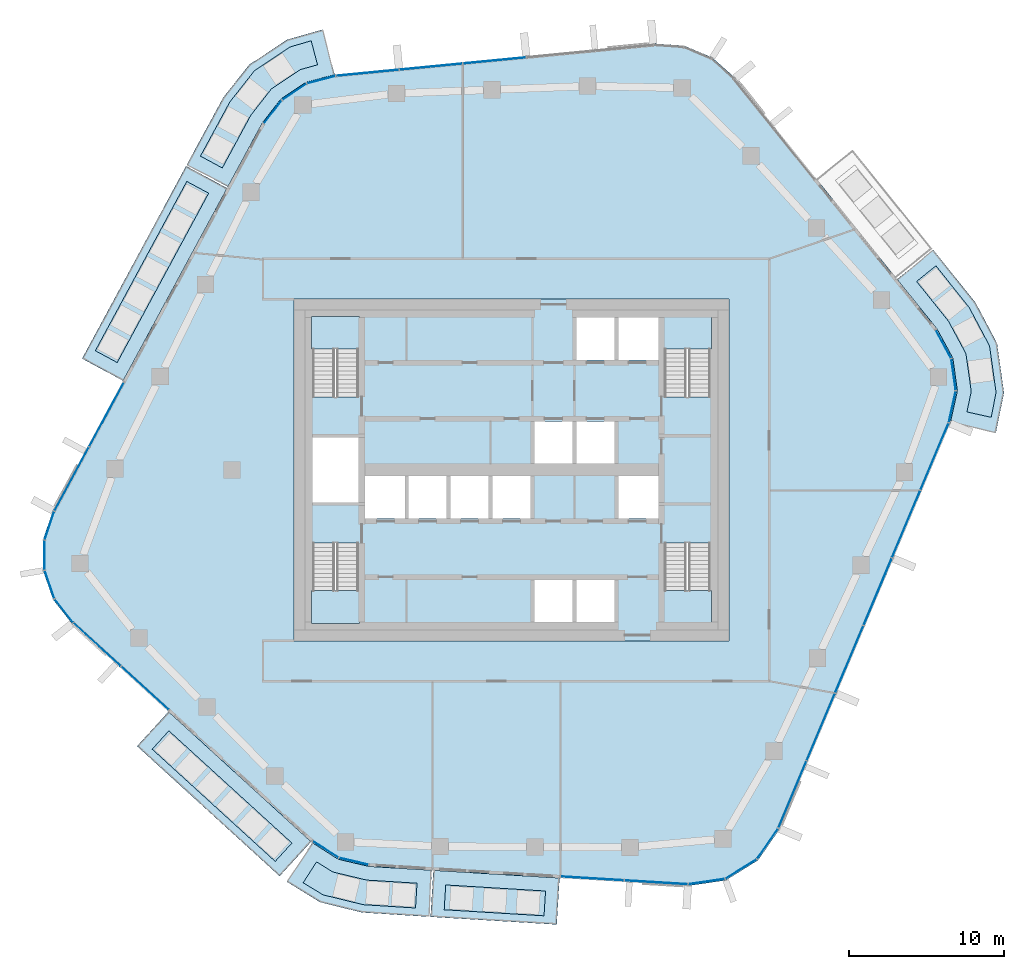
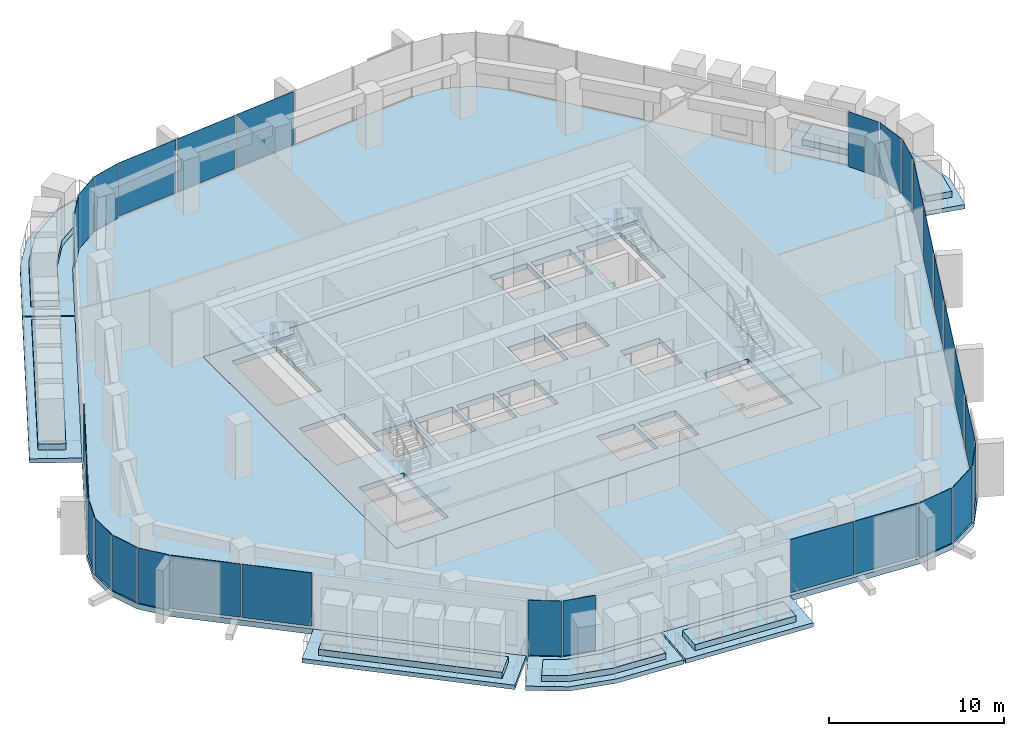
# One storey, part 10 of 20: 30 plates, 18 slabs, 14 elements without a shape of their own.
"""IFC4 building model written with IfcOpenShell, lengths in metres."""

from ifc_helpers import new_model, si_unit, direction, frame, origin, origin_2d, place, context, subcontext, project, spatial, polyline, rectangle, outline, extrude, material, layer, layer_set, type_object, element, aggregate, save


model = new_model("IFC4")

# Units and contexts
model_context = context("Model", 3, precision=1e-05, world=origin(), true_north=direction((0.0, 1.0)))
body_context = subcontext(model_context, "Body", "Model", "MODEL_VIEW")
ifc_project = project(units=[si_unit("LENGTHUNIT", "METRE"), si_unit("AREAUNIT", "SQUARE_METRE"), si_unit("VOLUMEUNIT", "CUBIC_METRE"), si_unit("PLANEANGLEUNIT", "RADIAN"), si_unit("MASSUNIT", "GRAM", prefix="KILO")], contexts=[model_context])

# Site, building, storey
site_placement = place(None, origin())
site = spatial("IfcSite", under=ifc_project, at=site_placement, CompositionType="ELEMENT")
building_placement = place(site_placement, origin())
building = spatial("IfcBuilding", under=site, at=building_placement, Name="Dongbaek Canopy Tower", CompositionType="ELEMENT")
storey_placement = place(building_placement, frame((0.0, 0.0, 258.0)))
storey = spatial("IfcBuildingStorey", under=building, at=storey_placement, Name="L54", CompositionType="ELEMENT", Elevation=258.0)

# Slabs
ifc_material_1 = material(Name="Concrete C40/50", Category="concrete")
ifc_layer_1 = layer(ifc_material_1, 0.300048828125)
ifc_layer_set_1 = layer_set([ifc_layer_1], Name="Balcony slab 300")
slab_type_1 = type_object("IfcSlabType", Name="Balcony slab 300", PredefinedType="FLOOR", material=ifc_layer_set_1)
slab_1_placement = place(storey_placement, frame((0.0, 0.0, -0.300048828125)))
element("IfcSlab", 1, at=slab_1_placement, inside=storey, type_object=slab_type_1, Name="Balcony L54 5", PredefinedType="FLOOR", context=body_context, shape_type="SweptSolid", body=[
    extrude(outline(polyline([(28.25634765625, 3.048583984375), (28.7099609375, 5.08837890625), (28.412109375, 7.20751953125), (27.389404296875, 9.087158203125), (24.8212890625, 12.279052734375), (27.15869140625, 14.15966796875), (29.8857421875, 10.7509765625), (31.2607421875, 8.148193359375), (31.707763671875, 4.9697265625), (31.184814453125, 2.397216796875), (28.25634765625, 3.048583984375)])), origin(), (0.0, 0.0, 1.0), 0.300048828125),
])
slab_2_placement = place(storey_placement, frame((0.0, 0.0, -0.300048828125)))
element("IfcSlab", 2, at=slab_2_placement, inside=storey, type_object=slab_type_1, Name="Balcony L54 2", PredefinedType="FLOOR", context=body_context, shape_type="SweptSolid", body=[
    extrude(outline(polyline([(-18.3154296875, 18.139892578125), (-25.010986328125, 5.742431640625), (-27.650634765625, 7.16796875), (-20.955078125, 19.5654296875), (-18.3154296875, 18.139892578125)])), origin(), (0.0, 0.0, 1.0), 0.300048828125),
])
slab_3_placement = place(storey_placement, frame((0.0, 0.0, -0.300048828125)))
element("IfcSlab", 3, at=slab_3_placement, inside=storey, type_object=slab_type_1, Name="Balcony L54 6", PredefinedType="FLOOR", context=body_context, shape_type="SweptSolid", body=[
    extrude(outline(polyline([(-11.39208984375, 25.45361328125), (-13.2275390625, 24.9658203125), (-14.851318359375, 23.887451171875), (-16.0439453125, 22.345703125), (-18.267822265625, 18.227783203125), (-20.907470703125, 19.653564453125), (-18.55859375, 23.981689453125), (-16.894775390625, 26.083984375), (-14.458740234375, 27.701416015625), (-12.16259765625, 28.35302734375), (-11.39208984375, 25.45361328125)])), origin(), (0.0, 0.0, 1.0), 0.300048828125),
])
slab_4_placement = place(storey_placement, frame((0.0, 0.0, -0.300048828125)))
element("IfcSlab", 4, at=slab_4_placement, inside=storey, type_object=slab_type_1, Name="Balcony L54 3", PredefinedType="FLOOR", context=body_context, shape_type="SweptSolid", body=[
    extrude(outline(polyline([(-22.089111328125, -15.569091796875), (-12.9111328125, -23.940185546875), (-14.9326171875, -26.15673828125), (-24.11083984375, -17.78564453125), (-22.089111328125, -15.569091796875)])), origin(), (0.0, 0.0, 1.0), 0.300048828125),
])
slab_5_placement = place(storey_placement, frame((0.0, 0.0, -0.300048828125)))
element("IfcSlab", 5, at=slab_5_placement, inside=storey, type_object=slab_type_1, Name="Balcony L54 4", PredefinedType="FLOOR", context=body_context, shape_type="SweptSolid", body=[
    extrude(outline(polyline([(-5.033203125, -25.782958984375), (3.091064453125, -26.277587890625), (2.908935546875, -29.27197265625), (-5.215576171875, -28.777587890625), (-5.033203125, -25.782958984375)])), origin(), (0.0, 0.0, 1.0), 0.300048828125),
])
slab_6_placement = place(storey_placement, frame((0.0, 0.0, -0.300048828125)))
element("IfcSlab", 6, at=slab_6_placement, inside=storey, type_object=slab_type_1, Name="Balcony L54 7", PredefinedType="FLOOR", context=body_context, shape_type="SweptSolid", body=[
    extrude(outline(polyline([(-12.83203125, -24.0009765625), (-11.16796875, -25.06689453125), (-9.1953125, -25.52978515625), (-5.133056640625, -25.777099609375), (-5.3154296875, -28.771484375), (-9.630615234375, -28.498046875), (-12.336669921875, -27.830078125), (-14.450439453125, -26.52685546875), (-12.83203125, -24.0009765625)])), origin(), (0.0, 0.0, 1.0), 0.300048828125),
])

# Curtain wall, plates
ifc_material_2 = material(Name="Aluminium 6063-T6 pale anodised", Category="aluminium")
ifc_layer_2 = layer(ifc_material_2, 0.199951171875)
ifc_layer_set_2 = layer_set([ifc_layer_2], Name="CW-1 unitised tower curtain wall")
curtain_wall_type = type_object("IfcCurtainWallType", Name="CW-1 unitised tower curtain wall", PredefinedType="NOTDEFINED", material=ifc_layer_set_2)
curtain_wall_1_placement = place(storey_placement, origin())
curtain_wall_1 = element("IfcCurtainWall", 7, at=curtain_wall_1_placement, inside=storey, type_object=curtain_wall_type, Name="CW-1 curtain wall K0.1", PredefinedType="NOTDEFINED")
ifc_material_3 = material(Name="Clear laminated glass", Category="glass")
ifc_layer_3 = layer(ifc_material_3, 0.028076171875)
ifc_layer_set_3 = layer_set([ifc_layer_3], Name="CW-1 glazed panel 28")
plate_type = type_object("IfcPlateType", Name="CW-1 glazed panel 28", PredefinedType="CURTAIN_PANEL", material=ifc_layer_set_3)
plate_1_placement = place(storey_placement, frame((28.379150390625, 4.061279296875, 0.0), z_axis=(0.0, 0.0, 1.0), x_axis=(0.21711143708, 0.976146824965, 0.0)))
plate_1 = element("IfcPlate", 8, at=plate_1_placement, type_object=plate_type, Name="CW-1 panel K0.1.1.1", PredefinedType="CURTAIN_PANEL", context=body_context, shape_type="SweptSolid", body=[
    extrude(rectangle(XDim=2.02880859375, YDim=0.028076171875, at=origin_2d()), origin(), (0.0, 0.0, 1.0), 3.820068359375),
])
plate_2_placement = place(storey_placement, frame((28.462158203125, 6.134033203125, 0.0), z_axis=(0.0, 0.0, 1.0), x_axis=(-0.139243583955, 0.990258160445, 0.0)))
plate_2 = element("IfcPlate", 9, at=plate_2_placement, type_object=plate_type, Name="CW-1 panel K0.1.2.1", PredefinedType="CURTAIN_PANEL", context=body_context, shape_type="SweptSolid", body=[
    extrude(rectangle(XDim=2.01953125, YDim=0.028076171875, at=origin_2d()), origin(), (0.0, 0.0, 1.0), 3.820068359375),
])
plate_3_placement = place(storey_placement, frame((27.810791015625, 8.103515625, 0.0), z_axis=(0.0, 0.0, 1.0), x_axis=(-0.477888487745, 0.878420510508, 0.0)))
plate_3 = element("IfcPlate", 10, at=plate_3_placement, type_object=plate_type, Name="CW-1 panel K0.1.3.1", PredefinedType="CURTAIN_PANEL", context=body_context, shape_type="SweptSolid", body=[
    extrude(rectangle(XDim=2.02880859375, YDim=0.028076171875, at=origin_2d()), origin(), (0.0, 0.0, 1.0), 3.820068359375),
])
aggregate(curtain_wall_1, [plate_1, plate_2, plate_3])

curtain_wall_2_placement = place(storey_placement, origin())
curtain_wall_2 = element("IfcCurtainWall", 11, at=curtain_wall_2_placement, inside=storey, type_object=curtain_wall_type, Name="CW-1 curtain wall F1.1", PredefinedType="NOTDEFINED")
plate_4_placement = place(storey_placement, frame((-1.093017578125, 26.35986328125, 0.1201171875), z_axis=(0.0, 0.0, 1.0), x_axis=(-0.995332430055, -0.096505718384, 0.0)))
plate_4 = element("IfcPlate", 12, at=plate_4_placement, type_object=plate_type, Name="CW-1 panel F1.1.3.1", PredefinedType="CURTAIN_PANEL", context=body_context, shape_type="SweptSolid", body=[
    extrude(rectangle(XDim=4.031494140625, YDim=0.028076171875, at=origin_2d()), origin(), (0.0, 0.0, 1.0), 3.699951171875),
])
plate_5_placement = place(storey_placement, frame((-5.189453125, 25.962646484375, 0.1201171875), z_axis=(0.0, 0.0, 1.0), x_axis=(-0.995332430055, -0.096505718384, 0.0)))
plate_5 = element("IfcPlate", 13, at=plate_5_placement, type_object=plate_type, Name="CW-1 panel F1.1.4.1", PredefinedType="CURTAIN_PANEL", context=body_context, shape_type="SweptSolid", body=[
    extrude(rectangle(XDim=4.031494140625, YDim=0.028076171875, at=origin_2d()), origin(), (0.0, 0.0, 1.0), 3.699951171875),
])
plate_6_placement = place(storey_placement, frame((-9.28173828125, 25.56591796875, 0.1201171875), z_axis=(0.0, 0.0, 1.0), x_axis=(-0.995332430055, -0.096505718384, 0.0)))
plate_6 = element("IfcPlate", 14, at=plate_6_placement, type_object=plate_type, Name="CW-1 panel F1.1.5.1", PredefinedType="CURTAIN_PANEL", context=body_context, shape_type="SweptSolid", body=[
    extrude(rectangle(XDim=4.0234375, YDim=0.028076171875, at=origin_2d()), origin(), (0.0, 0.0, 1.0), 3.699951171875),
])
aggregate(curtain_wall_2, [plate_4, plate_5, plate_6])

curtain_wall_3_placement = place(storey_placement, origin())
curtain_wall_3 = element("IfcCurtainWall", 15, at=curtain_wall_3_placement, inside=storey, type_object=curtain_wall_type, Name="CW-1 curtain wall K2.1", PredefinedType="NOTDEFINED")
plate_7_placement = place(storey_placement, frame((-12.255859375, 25.12060546875, 0.0), z_axis=(0.0, 0.0, 1.0), x_axis=(-0.966437778998, -0.25690079666, 0.0)))
plate_7 = element("IfcPlate", 16, at=plate_7_placement, type_object=plate_type, Name="CW-1 panel K2.1.1.1", PredefinedType="CURTAIN_PANEL", context=body_context, shape_type="SweptSolid", body=[
    extrude(rectangle(XDim=1.840576171875, YDim=0.028076171875, at=origin_2d()), origin(), (0.0, 0.0, 1.0), 3.820068359375),
])
plate_8_placement = place(storey_placement, frame((-13.984130859375, 24.34326171875, 0.0), z_axis=(0.0, 0.0, 1.0), x_axis=(-0.833087736407, -0.553140871251, 0.0)))
plate_8 = element("IfcPlate", 17, at=plate_8_placement, type_object=plate_type, Name="CW-1 panel K2.1.2.1", PredefinedType="CURTAIN_PANEL", context=body_context, shape_type="SweptSolid", body=[
    extrude(rectangle(XDim=1.832275390625, YDim=0.028076171875, at=origin_2d()), origin(), (0.0, 0.0, 1.0), 3.820068359375),
])
plate_9_placement = place(storey_placement, frame((-15.37109375, 23.05224609375, 0.0), z_axis=(0.0, 0.0, 1.0), x_axis=(-0.611813267825, -0.791002228387, 0.0)))
plate_9 = element("IfcPlate", 18, at=plate_9_placement, type_object=plate_type, Name="CW-1 panel K2.1.3.1", PredefinedType="CURTAIN_PANEL", context=body_context, shape_type="SweptSolid", body=[
    extrude(rectangle(XDim=1.840576171875, YDim=0.028076171875, at=origin_2d()), origin(), (0.0, 0.0, 1.0), 3.820068359375),
])
aggregate(curtain_wall_3, [plate_7, plate_8, plate_9])

curtain_wall_4_placement = place(storey_placement, origin())
curtain_wall_4 = element("IfcCurtainWall", 19, at=curtain_wall_4_placement, inside=storey, type_object=curtain_wall_type, Name="CW-1 curtain wall F2.1", PredefinedType="NOTDEFINED")
plate_10_placement = place(storey_placement, frame((-26.070556640625, 3.56982421875, 0.1201171875), z_axis=(0.0, 0.0, 1.0), x_axis=(-0.475201548938, -0.879876973154, 0.0)))
plate_10 = element("IfcPlate", 20, at=plate_10_placement, type_object=plate_type, Name="CW-1 panel F2.1.1.1", PredefinedType="CURTAIN_PANEL", context=body_context, shape_type="SweptSolid", body=[
    extrude(rectangle(XDim=4.64599609375, YDim=0.028076171875, at=origin_2d()), origin(), (0.0, 0.0, 1.0), 3.699951171875),
])
plate_11_placement = place(storey_placement, frame((-28.31640625, -0.58837890625, 0.1201171875), z_axis=(0.0, 0.0, 1.0), x_axis=(-0.475201548938, -0.879876973154, 0.0)))
plate_11 = element("IfcPlate", 21, at=plate_11_placement, type_object=plate_type, Name="CW-1 panel F2.1.2.1", PredefinedType="CURTAIN_PANEL", context=body_context, shape_type="SweptSolid", body=[
    extrude(rectangle(XDim=4.6376953125, YDim=0.028076171875, at=origin_2d()), origin(), (0.0, 0.0, 1.0), 3.699951171875),
])
aggregate(curtain_wall_4, [plate_10, plate_11])

curtain_wall_5_placement = place(storey_placement, origin())
curtain_wall_5 = element("IfcCurtainWall", 22, at=curtain_wall_5_placement, inside=storey, type_object=curtain_wall_type, Name="CW-1 curtain wall K3.1", PredefinedType="NOTDEFINED")
plate_12_placement = place(storey_placement, frame((-29.754638671875, -3.5908203125, 0.0), z_axis=(0.0, 0.0, 1.0), x_axis=(-0.323451939062, -0.946244600046, 0.0)))
plate_12 = element("IfcPlate", 23, at=plate_12_placement, type_object=plate_type, Name="CW-1 panel K3.1.1.1", PredefinedType="CURTAIN_PANEL", context=body_context, shape_type="SweptSolid", body=[
    extrude(rectangle(XDim=1.87158203125, YDim=0.028076171875, at=origin_2d()), origin(), (0.0, 0.0, 1.0), 3.820068359375),
])
plate_13_placement = place(storey_placement, frame((-30.068603515625, -5.48974609375, 0.0), z_axis=(0.0, 0.0, 1.0), x_axis=(0.002260369172, -0.999997445362, 0.0)))
plate_13 = element("IfcPlate", 24, at=plate_13_placement, type_object=plate_type, Name="CW-1 panel K3.1.2.1", PredefinedType="CURTAIN_PANEL", context=body_context, shape_type="SweptSolid", body=[
    extrude(rectangle(XDim=1.86328125, YDim=0.028076171875, at=origin_2d()), origin(), (0.0, 0.0, 1.0), 3.820068359375),
])
plate_14_placement = place(storey_placement, frame((-29.747314453125, -7.38330078125, 0.0), z_axis=(0.0, 0.0, 1.0), x_axis=(0.327726347192, -0.944772692957, 0.0)))
plate_14 = element("IfcPlate", 25, at=plate_14_placement, type_object=plate_type, Name="CW-1 panel K3.1.3.1", PredefinedType="CURTAIN_PANEL", context=body_context, shape_type="SweptSolid", body=[
    extrude(rectangle(XDim=1.86328125, YDim=0.028076171875, at=origin_2d()), origin(), (0.0, 0.0, 1.0), 3.820068359375),
])
plate_15_placement = place(storey_placement, frame((-28.824462890625, -9.072265625, 0.0), z_axis=(0.0, 0.0, 1.0), x_axis=(0.61747740393, -0.786588619061, 0.0)))
plate_15 = element("IfcPlate", 26, at=plate_15_placement, type_object=plate_type, Name="CW-1 panel K3.1.4.1", PredefinedType="CURTAIN_PANEL", context=body_context, shape_type="SweptSolid", body=[
    extrude(rectangle(XDim=1.87158203125, YDim=0.028076171875, at=origin_2d()), origin(), (0.0, 0.0, 1.0), 3.820068359375),
])
aggregate(curtain_wall_5, [plate_12, plate_13, plate_14, plate_15])

curtain_wall_6_placement = place(storey_placement, origin())
curtain_wall_6 = element("IfcCurtainWall", 27, at=curtain_wall_6_placement, inside=storey, type_object=curtain_wall_type, Name="CW-1 curtain wall F3.1", PredefinedType="NOTDEFINED")
plate_16_placement = place(storey_placement, frame((-26.681640625, -11.244873046875, 0.1201171875), z_axis=(0.0, 0.0, 1.0), x_axis=(0.738841417028, -0.673879336739, 0.0)))
plate_16 = element("IfcPlate", 28, at=plate_16_placement, type_object=plate_type, Name="CW-1 panel F3.1.1.1", PredefinedType="CURTAIN_PANEL", context=body_context, shape_type="SweptSolid", body=[
    extrude(rectangle(XDim=4.081787109375, YDim=0.028076171875, at=origin_2d()), origin(), (0.0, 0.0, 1.0), 3.699951171875),
])
plate_17_placement = place(storey_placement, frame((-23.600830078125, -14.054931640625, 0.1201171875), z_axis=(0.0, 0.0, 1.0), x_axis=(0.738841417028, -0.673879336739, 0.0)))
plate_17 = element("IfcPlate", 29, at=plate_17_placement, type_object=plate_type, Name="CW-1 panel F3.1.2.1", PredefinedType="CURTAIN_PANEL", context=body_context, shape_type="SweptSolid", body=[
    extrude(rectangle(XDim=4.090087890625, YDim=0.028076171875, at=origin_2d()), origin(), (0.0, 0.0, 1.0), 3.699951171875),
])
aggregate(curtain_wall_6, [plate_16, plate_17])

curtain_wall_7_placement = place(storey_placement, origin())
curtain_wall_7 = element("IfcCurtainWall", 30, at=curtain_wall_7_placement, inside=storey, type_object=curtain_wall_type, Name="CW-1 curtain wall K4.1", PredefinedType="NOTDEFINED")
plate_18_placement = place(storey_placement, frame((-11.970703125, -24.433837890625, 0.0), z_axis=(0.0, 0.0, 1.0), x_axis=(0.842019108393, -0.539447700061, 0.0)))
plate_18 = element("IfcPlate", 31, at=plate_18_placement, type_object=plate_type, Name="CW-1 panel K4.1.1.1", PredefinedType="CURTAIN_PANEL", context=body_context, shape_type="SweptSolid", body=[
    extrude(rectangle(XDim=1.91650390625, YDim=0.028076171875, at=origin_2d()), origin(), (0.0, 0.0, 1.0), 3.820068359375),
])
plate_19_placement = place(storey_placement, frame((-10.154541015625, -25.201904296875, 0.0), z_axis=(0.0, 0.0, 1.0), x_axis=(0.973563840907, -0.228415077607, 0.0)))
plate_19 = element("IfcPlate", 32, at=plate_19_placement, type_object=plate_type, Name="CW-1 panel K4.1.2.1", PredefinedType="CURTAIN_PANEL", context=body_context, shape_type="SweptSolid", body=[
    extrude(rectangle(XDim=1.91650390625, YDim=0.028076171875, at=origin_2d()), origin(), (0.0, 0.0, 1.0), 3.820068359375),
])
aggregate(curtain_wall_7, [plate_18, plate_19])

curtain_wall_8_placement = place(storey_placement, origin())
curtain_wall_8 = element("IfcCurtainWall", 33, at=curtain_wall_8_placement, inside=storey, type_object=curtain_wall_type, Name="CW-1 curtain wall F4.1", PredefinedType="NOTDEFINED")
plate_20_placement = place(storey_placement, frame((5.203125, -26.305908203125, 0.1201171875), z_axis=(0.0, 0.0, 1.0), x_axis=(0.998153246078, -0.060746171441, 0.0)))
plate_20 = element("IfcPlate", 34, at=plate_20_placement, type_object=plate_type, Name="CW-1 panel F4.1.1.1", PredefinedType="CURTAIN_PANEL", context=body_context, shape_type="SweptSolid", body=[
    extrude(rectangle(XDim=4.03564453125, YDim=0.028076171875, at=origin_2d()), origin(), (0.0, 0.0, 1.0), 3.699951171875),
])
plate_21_placement = place(storey_placement, frame((9.31005859375, -26.555908203125, 0.1201171875), z_axis=(0.0, 0.0, 1.0), x_axis=(0.998153246078, -0.060746171441, 0.0)))
plate_21 = element("IfcPlate", 35, at=plate_21_placement, type_object=plate_type, Name="CW-1 panel F4.1.2.1", PredefinedType="CURTAIN_PANEL", context=body_context, shape_type="SweptSolid", body=[
    extrude(rectangle(XDim=4.025390625, YDim=0.028076171875, at=origin_2d()), origin(), (0.0, 0.0, 1.0), 3.699951171875),
])
aggregate(curtain_wall_8, [plate_20, plate_21])

curtain_wall_9_placement = place(storey_placement, origin())
curtain_wall_9 = element("IfcCurtainWall", 36, at=curtain_wall_9_placement, inside=storey, type_object=curtain_wall_type, Name="CW-1 curtain wall K5.1", PredefinedType="NOTDEFINED")
plate_22_placement = place(storey_placement, frame((12.5576171875, -26.506103515625, 0.0), z_axis=(0.0, 0.0, 1.0), x_axis=(0.989536033026, 0.144285963776, 0.0)))
plate_22 = element("IfcPlate", 37, at=plate_22_placement, type_object=plate_type, Name="CW-1 panel K5.1.1.1", PredefinedType="CURTAIN_PANEL", context=body_context, shape_type="SweptSolid", body=[
    extrude(rectangle(XDim=2.33447265625, YDim=0.028076171875, at=origin_2d()), origin(), (0.0, 0.0, 1.0), 3.820068359375),
])
plate_23_placement = place(storey_placement, frame((14.77685546875, -25.6962890625, 0.0), z_axis=(0.0, 0.0, 1.0), x_axis=(0.849404089136, 0.527743018296, 0.0)))
plate_23 = element("IfcPlate", 38, at=plate_23_placement, type_object=plate_type, Name="CW-1 panel K5.1.2.1", PredefinedType="CURTAIN_PANEL", context=body_context, shape_type="SweptSolid", body=[
    extrude(rectangle(XDim=2.323974609375, YDim=0.028076171875, at=origin_2d()), origin(), (0.0, 0.0, 1.0), 3.820068359375),
])
plate_24_placement = place(storey_placement, frame((16.48583984375, -24.0654296875, 0.0), z_axis=(0.0, 0.0, 1.0), x_axis=(0.567696636257, 0.823237832697, 0.0)))
plate_24 = element("IfcPlate", 39, at=plate_24_placement, type_object=plate_type, Name="CW-1 panel K5.1.3.1", PredefinedType="CURTAIN_PANEL", context=body_context, shape_type="SweptSolid", body=[
    extrude(rectangle(XDim=2.33447265625, YDim=0.028076171875, at=origin_2d()), origin(), (0.0, 0.0, 1.0), 3.820068359375),
])
aggregate(curtain_wall_9, [plate_22, plate_23, plate_24])

curtain_wall_10_placement = place(storey_placement, origin())
curtain_wall_10 = element("IfcCurtainWall", 40, at=curtain_wall_10_placement, inside=storey, type_object=curtain_wall_type, Name="CW-1 curtain wall F5.1", PredefinedType="NOTDEFINED")
plate_25_placement = place(storey_placement, frame((18.085693359375, -20.898193359375, 0.1201171875), z_axis=(0.0, 0.0, 1.0), x_axis=(0.387695530662, 0.92178748934, 0.0)))
plate_25 = element("IfcPlate", 41, at=plate_25_placement, type_object=plate_type, Name="CW-1 panel F5.1.1.1", PredefinedType="CURTAIN_PANEL", context=body_context, shape_type="SweptSolid", body=[
    extrude(rectangle(XDim=4.6279296875, YDim=0.028076171875, at=origin_2d()), origin(), (0.0, 0.0, 1.0), 3.699951171875),
])
plate_26_placement = place(storey_placement, frame((19.91455078125, -16.550048828125, 0.1201171875), z_axis=(0.0, 0.0, 1.0), x_axis=(0.387695530662, 0.92178748934, 0.0)))
plate_26 = element("IfcPlate", 42, at=plate_26_placement, type_object=plate_type, Name="CW-1 panel F5.1.2.1", PredefinedType="CURTAIN_PANEL", context=body_context, shape_type="SweptSolid", body=[
    extrude(rectangle(XDim=4.638427734375, YDim=0.028076171875, at=origin_2d()), origin(), (0.0, 0.0, 1.0), 3.699951171875),
])
plate_27_placement = place(storey_placement, frame((21.745361328125, -12.197021484375, 0.1201171875), z_axis=(0.0, 0.0, 1.0), x_axis=(0.387695530662, 0.92178748934, 0.0)))
plate_27 = element("IfcPlate", 43, at=plate_27_placement, type_object=plate_type, Name="CW-1 panel F5.1.3.1", PredefinedType="CURTAIN_PANEL", context=body_context, shape_type="SweptSolid", body=[
    extrude(rectangle(XDim=4.638427734375, YDim=0.028076171875, at=origin_2d()), origin(), (0.0, 0.0, 1.0), 3.699951171875),
])
plate_28_placement = place(storey_placement, frame((23.576171875, -7.843994140625, 0.1201171875), z_axis=(0.0, 0.0, 1.0), x_axis=(0.387695530662, 0.92178748934, 0.0)))
plate_28 = element("IfcPlate", 44, at=plate_28_placement, type_object=plate_type, Name="CW-1 panel F5.1.4.1", PredefinedType="CURTAIN_PANEL", context=body_context, shape_type="SweptSolid", body=[
    extrude(rectangle(XDim=4.638427734375, YDim=0.028076171875, at=origin_2d()), origin(), (0.0, 0.0, 1.0), 3.699951171875),
])
plate_29_placement = place(storey_placement, frame((25.406982421875, -3.490966796875, 0.1201171875), z_axis=(0.0, 0.0, 1.0), x_axis=(0.387695530662, 0.92178748934, 0.0)))
plate_29 = element("IfcPlate", 45, at=plate_29_placement, type_object=plate_type, Name="CW-1 panel F5.1.5.1", PredefinedType="CURTAIN_PANEL", context=body_context, shape_type="SweptSolid", body=[
    extrude(rectangle(XDim=4.638427734375, YDim=0.028076171875, at=origin_2d()), origin(), (0.0, 0.0, 1.0), 3.699951171875),
])
plate_30_placement = place(storey_placement, frame((27.236083984375, 0.85791015625, 0.1201171875), z_axis=(0.0, 0.0, 1.0), x_axis=(0.387695530662, 0.92178748934, 0.0)))
plate_30 = element("IfcPlate", 46, at=plate_30_placement, type_object=plate_type, Name="CW-1 panel F5.1.6.1", PredefinedType="CURTAIN_PANEL", context=body_context, shape_type="SweptSolid", body=[
    extrude(rectangle(XDim=4.62939453125, YDim=0.028076171875, at=origin_2d()), origin(), (0.0, 0.0, 1.0), 3.699951171875),
])
aggregate(curtain_wall_10, [plate_25, plate_26, plate_27, plate_28, plate_29, plate_30])

# Slab
ifc_material_4 = material(Name="Concrete C40/50", Category="concrete")
ifc_layer_4 = layer(ifc_material_4, 0.3798828125)
ifc_layer_set_4 = layer_set([ifc_layer_4], Name="Core floor slab 380 Concrete C40/50")
slab_type_2 = type_object("IfcSlabType", Name="Core floor slab 380 Concrete C40/50", PredefinedType="FLOOR", material=ifc_layer_set_4)
slab_7_placement = place(storey_placement, frame((0.0, 0.0, -0.3798828125)))
element("IfcSlab", 47, at=slab_7_placement, inside=storey, type_object=slab_type_2, Name="Core floor slab L54", PredefinedType="FLOOR", context=body_context, shape_type="SweptSolid", body=[
    extrude(outline(polyline([(14.0, -11.0), (14.0, 11.0), (-14.0, 11.0), (-14.0, -11.0), (14.0, -11.0)]), holes=[polyline([(-12.800048828125, 2.10009765625), (-9.85009765625, 2.10009765625), (-9.85009765625, -2.10009765625), (-12.800048828125, -2.10009765625), (-12.800048828125, 2.10009765625)]), polyline([(6.625, 9.800048828125), (6.625, 7.074951171875), (4.175048828125, 7.074951171875), (4.175048828125, 9.800048828125), (6.625, 9.800048828125)]), polyline([(9.449951171875, 7.074951171875), (6.875, 7.074951171875), (6.875, 9.800048828125), (9.449951171875, 9.800048828125), (9.449951171875, 7.074951171875)]), polyline([(1.47509765625, 0.39990234375), (1.47509765625, 3.125), (3.925048828125, 3.125), (3.925048828125, 0.39990234375), (1.47509765625, 0.39990234375)]), polyline([(4.175048828125, 0.39990234375), (4.175048828125, 3.125), (6.625, 3.125), (6.625, 0.39990234375), (4.175048828125, 0.39990234375)]), polyline([(-9.449951171875, -0.39990234375), (-6.875, -0.39990234375), (-6.875, -3.125), (-9.449951171875, -3.125), (-9.449951171875, -0.39990234375)]), polyline([(-6.625, -3.125), (-6.625, -0.39990234375), (-4.175048828125, -0.39990234375), (-4.175048828125, -3.125), (-6.625, -3.125)]), polyline([(-3.925048828125, -3.125), (-3.925048828125, -0.39990234375), (-1.47509765625, -0.39990234375), (-1.47509765625, -3.125), (-3.925048828125, -3.125)]), polyline([(-1.22509765625, -3.125), (-1.22509765625, -0.39990234375), (1.22509765625, -0.39990234375), (1.22509765625, -3.125), (-1.22509765625, -3.125)]), polyline([(9.449951171875, -3.125), (6.875, -3.125), (6.875, -0.39990234375), (9.449951171875, -0.39990234375), (9.449951171875, -3.125)]), polyline([(1.47509765625, -9.800048828125), (1.47509765625, -7.074951171875), (3.925048828125, -7.074951171875), (3.925048828125, -9.800048828125), (1.47509765625, -9.800048828125)]), polyline([(4.175048828125, -9.800048828125), (4.175048828125, -7.074951171875), (6.625, -7.074951171875), (6.625, -9.800048828125), (4.175048828125, -9.800048828125)]), polyline([(12.800048828125, 4.70068359375), (12.800048828125, 9.800048828125), (9.85009765625, 9.800048828125), (9.85009765625, 4.70068359375), (12.800048828125, 4.70068359375)]), polyline([(-9.85009765625, 4.70068359375), (-9.85009765625, 9.800048828125), (-12.800048828125, 9.800048828125), (-12.800048828125, 4.70068359375), (-9.85009765625, 4.70068359375)]), polyline([(9.85009765625, -4.70068359375), (9.85009765625, -9.800048828125), (12.800048828125, -9.800048828125), (12.800048828125, -4.70068359375), (9.85009765625, -4.70068359375)]), polyline([(-12.800048828125, -4.70068359375), (-12.800048828125, -9.800048828125), (-9.85009765625, -9.800048828125), (-9.85009765625, -4.70068359375), (-12.800048828125, -4.70068359375)])]), origin(), (0.0, 0.0, 1.0), 0.3798828125),
])

# Stair, slab
ifc_material_5 = material(Name="Concrete C40/50", Category="concrete")
stair_type = type_object("IfcStairType", Name="Core exit stair", PredefinedType="HALF_TURN_STAIR", material=ifc_material_5)
stair_1_placement = place(storey_placement, origin())
stair_1 = element("IfcStair", 48, at=stair_1_placement, inside=storey, type_object=stair_type, Name="L54 exit stair A", PredefinedType="HALF_TURN_STAIR")
ifc_material_6 = material(Name="Concrete C40/50", Category="concrete")
ifc_layer_5 = layer(ifc_material_6, 0.199951171875)
ifc_layer_set_5 = layer_set([ifc_layer_5], Name="Core stair landing 200")
slab_type_3 = type_object("IfcSlabType", Name="Core stair landing 200", PredefinedType="LANDING", material=ifc_layer_set_5)
slab_8_placement = place(storey_placement, frame((0.0, 0.0, 1.89990234375)))
slab_8 = element("IfcSlab", 49, at=slab_8_placement, type_object=slab_type_3, Name="ST-A landing 1", PredefinedType="LANDING", context=body_context, shape_type="SweptSolid", body=[
    extrude(outline(polyline([(12.875, 7.780029296875), (12.875, 9.875), (9.77490234375, 9.875), (9.77490234375, 7.780029296875), (12.875, 7.780029296875)])), origin(), (0.0, 0.0, 1.0), 0.2001953125),
])
aggregate(stair_1, [slab_8])

stair_2_placement = place(storey_placement, origin())
stair_2 = element("IfcStair", 50, at=stair_2_placement, inside=storey, type_object=stair_type, Name="L54 exit stair C", PredefinedType="HALF_TURN_STAIR")
slab_9_placement = place(storey_placement, frame((0.0, 0.0, 1.89990234375)))
slab_9 = element("IfcSlab", 51, at=slab_9_placement, type_object=slab_type_3, Name="ST-C landing 1", PredefinedType="LANDING", context=body_context, shape_type="SweptSolid", body=[
    extrude(outline(polyline([(-9.77490234375, 7.780029296875), (-9.77490234375, 9.875), (-12.875, 9.875), (-12.875, 7.780029296875), (-9.77490234375, 7.780029296875)])), origin(), (0.0, 0.0, 1.0), 0.2001953125),
])
aggregate(stair_2, [slab_9])

stair_3_placement = place(storey_placement, origin())
stair_3 = element("IfcStair", 52, at=stair_3_placement, inside=storey, type_object=stair_type, Name="L54 exit stair B", PredefinedType="HALF_TURN_STAIR")
slab_10_placement = place(storey_placement, frame((0.0, 0.0, 1.89990234375)))
slab_10 = element("IfcSlab", 53, at=slab_10_placement, type_object=slab_type_3, Name="ST-B landing 1", PredefinedType="LANDING", context=body_context, shape_type="SweptSolid", body=[
    extrude(outline(polyline([(9.77490234375, -7.780029296875), (9.77490234375, -9.875), (12.875, -9.875), (12.875, -7.780029296875), (9.77490234375, -7.780029296875)])), origin(), (0.0, 0.0, 1.0), 0.2001953125),
])
aggregate(stair_3, [slab_10])

stair_4_placement = place(storey_placement, origin())
stair_4 = element("IfcStair", 54, at=stair_4_placement, inside=storey, type_object=stair_type, Name="L54 exit stair D", PredefinedType="HALF_TURN_STAIR")
slab_11_placement = place(storey_placement, frame((0.0, 0.0, 1.89990234375)))
slab_11 = element("IfcSlab", 55, at=slab_11_placement, type_object=slab_type_3, Name="ST-D landing 1", PredefinedType="LANDING", context=body_context, shape_type="SweptSolid", body=[
    extrude(outline(polyline([(-12.875, -7.780029296875), (-12.875, -9.875), (-9.77490234375, -9.875), (-9.77490234375, -7.780029296875), (-12.875, -7.780029296875)])), origin(), (0.0, 0.0, 1.0), 0.2001953125),
])
aggregate(stair_4, [slab_11])

# Slabs
ifc_material_7 = material(Name="Concrete C40", Category="concrete")
ifc_layer_6 = layer(ifc_material_7, 0.3798828125)
ifc_layer_set_6 = layer_set([ifc_layer_6], Name="RC FLAT PLATE 380 Concrete C40")
slab_type_4 = type_object("IfcSlabType", Name="RC FLAT PLATE 380 Concrete C40", PredefinedType="FLOOR", material=ifc_layer_set_6)
slab_12_placement = place(storey_placement, frame((0.0, 0.0, -0.3798828125)))
element("IfcSlab", 56, at=slab_12_placement, inside=storey, type_object=slab_type_4, Name="SLAB:L54", PredefinedType="FLOOR", context=body_context, shape_type="SweptSolid", body=[
    extrude(outline(polyline([(17.260498046875, -23.118408203125), (15.869873046875, -25.135009765625), (13.789306640625, -26.427490234375), (11.365234375, -26.781005859375), (-9.1953125, -25.52978515625), (-11.16796875, -25.06689453125), (-12.8740234375, -23.973876953125), (-28.294189453125, -9.90966796875), (-29.51708984375, -8.3515625), (-30.16650390625, -6.480224609375), (-30.1708984375, -4.49951171875), (-29.5302734375, -2.62548828125), (-16.0439453125, 22.345703125), (-14.851318359375, 23.887451171875), (-13.227294921875, 24.9658203125), (-11.343505859375, 25.466552734375), (9.13818359375, 27.452392578125), (11.1044921875, 27.31787109375), (12.921142578125, 26.553466796875), (14.39208984375, 25.24169921875), (27.389404296875, 9.087158203125), (28.412109375, 7.20751953125), (28.7099609375, 5.08837890625), (28.24560546875, 2.999755859375), (17.260498046875, -23.118408203125)]), holes=[polyline([(14.0, 11.0), (-14.0, 11.0), (-14.0, -11.0), (14.0, -11.0), (14.0, 11.0)])]), origin(), (0.0, 0.0, 1.0), 0.3798828125),
])
ifc_material_8 = material(Name="Reinforced concrete C40/50 planter box with soil", Category="concrete")
ifc_layer_7 = layer(ifc_material_8, 0.419921875)
ifc_layer_set_7 = layer_set([ifc_layer_7], Name="Terrace planter box 1600 x 420")
slab_type_5 = type_object("IfcSlabType", Name="Terrace planter box 1600 x 420", PredefinedType="USERDEFINED", material=ifc_layer_set_7)
slab_13_placement = place(storey_placement, origin())
element("IfcSlab", 57, at=slab_13_placement, inside=storey, type_object=slab_type_5, Name="Balcony planter L54 5", ObjectType="PLANTER", PredefinedType="USERDEFINED", context=body_context, shape_type="SweptSolid", body=[
    extrude(outline(polyline([(29.320556640625, 3.73388671875), (29.599365234375, 5.05322265625), (29.257080078125, 7.486572265625), (28.130126953125, 9.58056640625), (26.078857421875, 12.1357421875), (27.325439453125, 13.138671875), (29.46142578125, 10.468017578125), (30.7763671875, 7.98828125), (31.197998046875, 4.989990234375), (30.88232421875, 3.386474609375), (29.320556640625, 3.73388671875)])), origin(), (0.0, 0.0, 1.0), 0.419921875),
])
slab_14_placement = place(storey_placement, origin())
element("IfcSlab", 58, at=slab_14_placement, inside=storey, type_object=slab_type_5, Name="Balcony planter L54 2", ObjectType="PLANTER", PredefinedType="USERDEFINED", context=body_context, shape_type="SweptSolid", body=[
    extrude(outline(polyline([(-19.50244140625, 17.81494140625), (-25.39013671875, 6.9130859375), (-26.7978515625, 7.673583984375), (-20.91015625, 18.5751953125), (-19.50244140625, 17.81494140625)])), origin(), (0.0, 0.0, 1.0), 0.419921875),
])
slab_15_placement = place(storey_placement, origin())
element("IfcSlab", 59, at=slab_15_placement, inside=storey, type_object=slab_type_5, Name="Balcony planter L54 6", ObjectType="PLANTER", PredefinedType="USERDEFINED", context=body_context, shape_type="SweptSolid", body=[
    extrude(outline(polyline([(-12.490478515625, 26.08251953125), (-13.5927734375, 25.77734375), (-15.45751953125, 24.5390625), (-16.789794921875, 22.8310546875), (-18.623291015625, 19.442626953125), (-20.031005859375, 20.202880859375), (-18.131103515625, 23.70361328125), (-16.54736328125, 25.710693359375), (-14.24951171875, 27.236328125), (-12.9013671875, 27.62890625), (-12.490478515625, 26.08251953125)])), origin(), (0.0, 0.0, 1.0), 0.419921875),
])
slab_16_placement = place(storey_placement, origin())
element("IfcSlab", 60, at=slab_16_placement, inside=storey, type_object=slab_type_5, Name="Balcony planter L54 3", ObjectType="PLANTER", PredefinedType="USERDEFINED", context=body_context, shape_type="SweptSolid", body=[
    extrude(outline(polyline([(-22.06103515625, -16.79931640625), (-14.138916015625, -24.02490234375), (-15.217041015625, -25.20703125), (-23.13916015625, -17.9814453125), (-22.06103515625, -16.79931640625)])), origin(), (0.0, 0.0, 1.0), 0.419921875),
])
slab_17_placement = place(storey_placement, origin())
element("IfcSlab", 61, at=slab_17_placement, inside=storey, type_object=slab_type_5, Name="Balcony planter L54 4", ObjectType="PLANTER", PredefinedType="USERDEFINED", context=body_context, shape_type="SweptSolid", body=[
    extrude(outline(polyline([(-4.239013671875, -26.72314453125), (2.188720703125, -27.1142578125), (2.09130859375, -28.711181640625), (-4.336181640625, -28.320068359375), (-4.239013671875, -26.72314453125)])), origin(), (0.0, 0.0, 1.0), 0.419921875),
])
slab_18_placement = place(storey_placement, origin())
element("IfcSlab", 62, at=slab_18_placement, inside=storey, type_object=slab_type_5, Name="Balcony planter L54 7", ObjectType="PLANTER", PredefinedType="USERDEFINED", context=body_context, shape_type="SweptSolid", body=[
    extrude(outline(polyline([(-12.55419921875, -25.23583984375), (-11.5146484375, -25.88671875), (-9.324462890625, -26.410400390625), (-6.08544921875, -26.610595703125), (-6.1826171875, -28.207763671875), (-9.556640625, -27.993408203125), (-12.137939453125, -27.3603515625), (-13.41748046875, -26.5830078125), (-12.55419921875, -25.23583984375)])), origin(), (0.0, 0.0, 1.0), 0.419921875),
])

save(model, "model.ifc")
